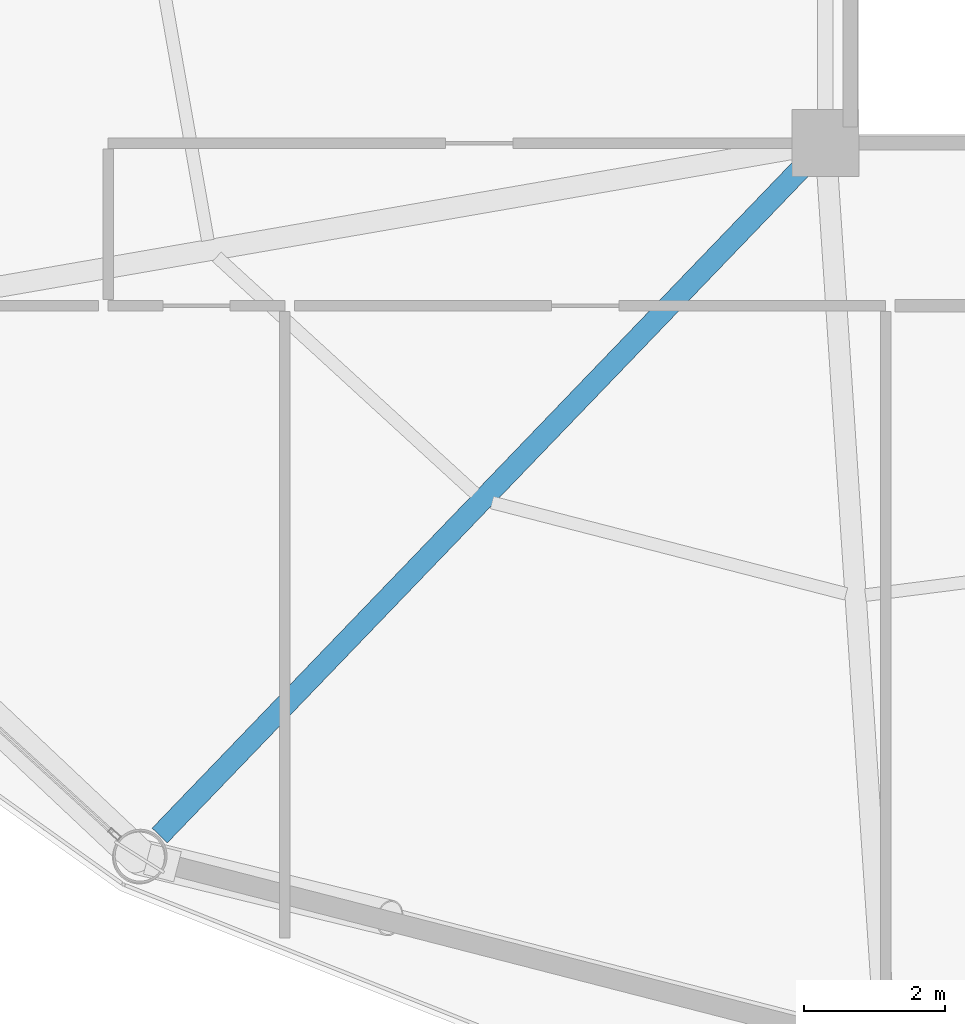
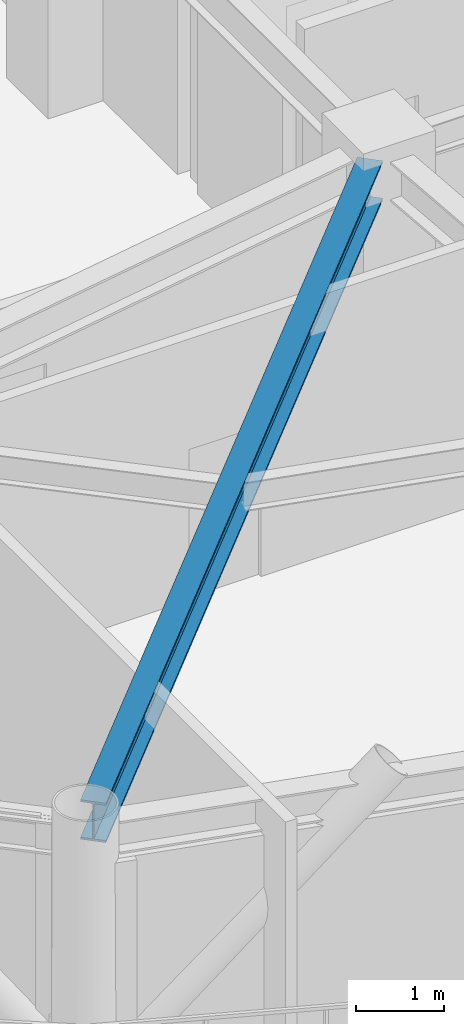
# One storey, part 3 of 25: 1 beam.
"""IFC4 building model written with IfcOpenShell, lengths in metres."""

from ifc_helpers import new_model, si_unit, direction, frame, origin, origin_2d, place, context, subcontext, project, spatial, i_section, extrude, material, material_profile, profile_set, type_object, element, save


model = new_model("IFC4")

# Units and contexts
model_context = context("Model", 3, precision=1e-05, world=origin(), true_north=direction((0.0, 1.0)))
body_context = subcontext(model_context, "Body", "Model", "MODEL_VIEW")
ifc_project = project(units=[si_unit("LENGTHUNIT", "METRE"), si_unit("AREAUNIT", "SQUARE_METRE"), si_unit("VOLUMEUNIT", "CUBIC_METRE"), si_unit("PLANEANGLEUNIT", "RADIAN"), si_unit("MASSUNIT", "GRAM", prefix="KILO")], contexts=[model_context])

# Site, building, storey
site_placement = place(None, origin())
site = spatial("IfcSite", under=ifc_project, at=site_placement, CompositionType="ELEMENT")
building_placement = place(site_placement, origin())
building = spatial("IfcBuilding", under=site, at=building_placement, Name="Varnakorn Sky Granary", CompositionType="ELEMENT")
storey_placement = place(building_placement, frame((0.0, 0.0, 122.699951171875)))
storey = spatial("IfcBuildingStorey", under=building, at=storey_placement, Name="L30", CompositionType="ELEMENT", Elevation=122.699951171875)

# Beam
ifc_material = material(Name="Steel S355JR", Category="steel")
ifc_material_profile = material_profile(ifc_material, i_section(OverallWidth=0.300048828125, OverallDepth=0.550048828125, WebThickness=0.014892578125, FlangeThickness=0.029052734375, at=origin_2d()), Name="HE 550 B")
ifc_profile_set = profile_set([ifc_material_profile], Name="Steel S355JR")
beam_type = type_object("IfcBeamType", Name="BM-RAD-Z3", PredefinedType="BEAM", material=ifc_profile_set)
beam_placement = place(storey_placement, frame((-2.64111328125, -6.90283203125, 3.364990234375), z_axis=(-0.693087602041, -0.720853366432, 0.0), x_axis=(0.720853366432, -0.693087602041, 0.0)))
element("IfcBeam", 1, at=beam_placement, inside=storey, type_object=beam_type, Name="Radial Floor Girder RG09 L30", PredefinedType="BEAM", context=body_context, shape_type="SweptSolid", body=[
    extrude(i_section(OverallWidth=0.300048828125, OverallDepth=0.550048828125, WebThickness=0.014892578125, FlangeThickness=0.029052734375, at=origin_2d()), origin(), (0.0, 0.0, 1.0), 13.171630859375),
])

save(model, "model.ifc")
